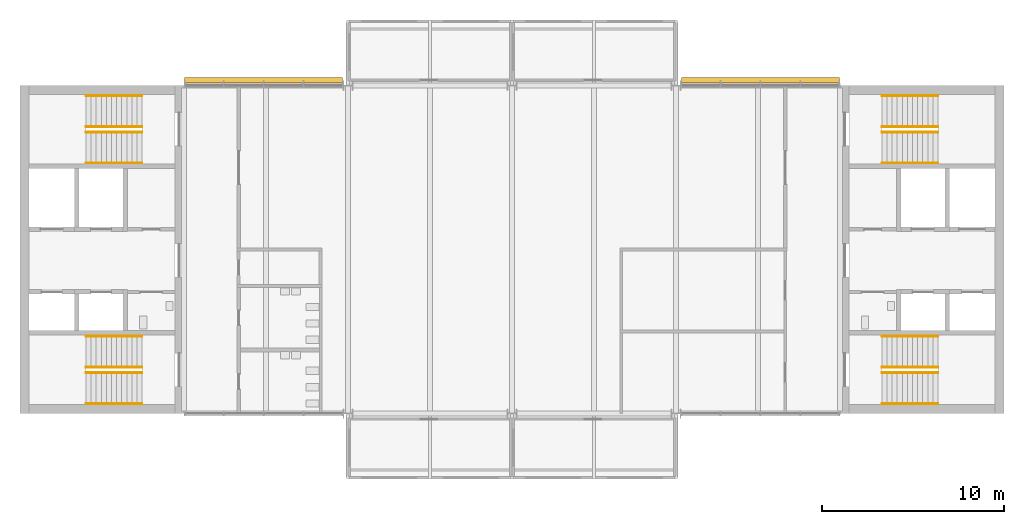
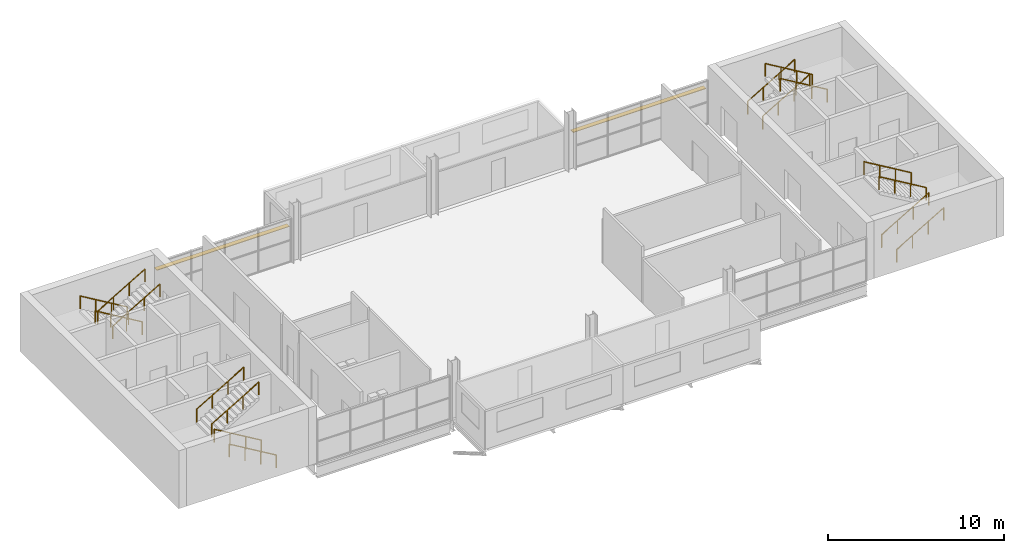
# One storey, part 9 of 10: 16 railings, 2 shading devices.
"""IFC4 building model written with IfcOpenShell, lengths in metres."""

from ifc_helpers import new_model, si_unit, direction, frame, origin, origin_2d, place, context, subcontext, project, spatial, rectangle, circle, extrude, material, layer, layer_set, type_object, element, save


model = new_model("IFC4")

# Units and contexts
model_context = context("Model", 3, precision=1e-05, world=origin(), true_north=direction((0.0, 1.0)))
body_context = subcontext(model_context, "Body", "Model", "MODEL_VIEW")
ifc_project = project(units=[si_unit("LENGTHUNIT", "METRE"), si_unit("AREAUNIT", "SQUARE_METRE"), si_unit("VOLUMEUNIT", "CUBIC_METRE"), si_unit("PLANEANGLEUNIT", "RADIAN"), si_unit("MASSUNIT", "GRAM", prefix="KILO")], contexts=[model_context])

# Site, building, storey
site_placement = place(None, origin())
site = spatial("IfcSite", under=ifc_project, at=site_placement, CompositionType="ELEMENT")
building_placement = place(site_placement, origin())
building = spatial("IfcBuilding", under=site, at=building_placement, Name="Corbel Yard City Hall", CompositionType="ELEMENT")
storey_placement = place(building_placement, frame((0.0, 0.0, 19.199951171875)))
storey = spatial("IfcBuildingStorey", under=building, at=storey_placement, Name="L04", CompositionType="ELEMENT", Elevation=19.199951171875)

# Railings
ifc_material_1 = material(Name="Stainless steel Grade 316", Category="steel")
railing_type = type_object("IfcRailingType", Name="HR1", PredefinedType="HANDRAIL", material=ifc_material_1)
for number, where, name in (
    (1, (6.699951171875, 99.550048828125, 0.166748046875), "Exit stair ST-W1 handrail"),
    (2, (6.699951171875, 101.25, 0.166748046875), "Exit stair ST-W1 handrail"),
):
    element("IfcRailing", number, at=place(storey_placement, frame(where)), inside=storey, type_object=railing_type, Name=name, PredefinedType="HANDRAIL", context=body_context, shape_type="SweptSolid", body=[
        extrude(circle(Radius=0.02392578125, at=origin_2d()), frame((0.0, 0.0, 0.8759765625), z_axis=(-0.859290745958, 0.0, 0.51148745235), x_axis=(0.0, -1.0, 0.0)), (0.0, 0.0, 1.0), 3.584228515625),
        extrude(circle(Radius=0.02099609375, at=origin_2d()), origin(), (0.0, 0.0, 1.0), 0.851806640625),
        extrude(circle(Radius=0.02099609375, at=origin_2d()), frame((-1.026611328125, 0.0, 0.611083984375)), (0.0, 0.0, 1.0), 0.851806640625),
        extrude(circle(Radius=0.02099609375, at=origin_2d()), frame((-2.05322265625, 0.0, 1.22216796875)), (0.0, 0.0, 1.0), 0.851806640625),
        extrude(circle(Radius=0.02099609375, at=origin_2d()), frame((-3.079833984375, 0.0, 1.833251953125)), (0.0, 0.0, 1.0), 0.851806640625),
    ])
for number, where, name in (
    (3, (3.6201171875, 101.550048828125, 2.166748046875), "Exit stair ST-W1 handrail"),
    (4, (3.6201171875, 103.25, 2.166748046875), "Exit stair ST-W1 handrail"),
):
    element("IfcRailing", number, at=place(storey_placement, frame(where)), inside=storey, type_object=railing_type, Name=name, PredefinedType="HANDRAIL", context=body_context, shape_type="SweptSolid", body=[
        extrude(circle(Radius=0.02392578125, at=origin_2d()), frame((0.0, 0.0, 0.8759765625), z_axis=(0.859290745958, 0.0, 0.51148745235), x_axis=(0.0, 1.0, 0.0)), (0.0, 0.0, 1.0), 3.584228515625),
        extrude(circle(Radius=0.02099609375, at=origin_2d()), origin(), (0.0, 0.0, 1.0), 0.851806640625),
        extrude(circle(Radius=0.02099609375, at=origin_2d()), frame((1.026611328125, 0.0, 0.611083984375)), (0.0, 0.0, 1.0), 0.851806640625),
        extrude(circle(Radius=0.02099609375, at=origin_2d()), frame((2.05322265625, 0.0, 1.22216796875)), (0.0, 0.0, 1.0), 0.851806640625),
        extrude(circle(Radius=0.02099609375, at=origin_2d()), frame((3.079833984375, 0.0, 1.833251953125)), (0.0, 0.0, 1.0), 0.851806640625),
    ])
for number, where, name in (
    (5, (6.699951171875, 116.449951171875, 0.166748046875), "Exit stair ST-W2 handrail"),
    (6, (6.699951171875, 114.75, 0.166748046875), "Exit stair ST-W2 handrail"),
):
    element("IfcRailing", number, at=place(storey_placement, frame(where)), inside=storey, type_object=railing_type, Name=name, PredefinedType="HANDRAIL", context=body_context, shape_type="SweptSolid", body=[
        extrude(circle(Radius=0.02392578125, at=origin_2d()), frame((0.0, 0.0, 0.8759765625), z_axis=(-0.859290745958, 0.0, 0.51148745235), x_axis=(0.0, -1.0, 0.0)), (0.0, 0.0, 1.0), 3.584228515625),
        extrude(circle(Radius=0.02099609375, at=origin_2d()), origin(), (0.0, 0.0, 1.0), 0.851806640625),
        extrude(circle(Radius=0.02099609375, at=origin_2d()), frame((-1.026611328125, 0.0, 0.611083984375)), (0.0, 0.0, 1.0), 0.851806640625),
        extrude(circle(Radius=0.02099609375, at=origin_2d()), frame((-2.05322265625, 0.0, 1.22216796875)), (0.0, 0.0, 1.0), 0.851806640625),
        extrude(circle(Radius=0.02099609375, at=origin_2d()), frame((-3.079833984375, 0.0, 1.833251953125)), (0.0, 0.0, 1.0), 0.851806640625),
    ])
for number, where, name in (
    (7, (3.6201171875, 114.449951171875, 2.166748046875), "Exit stair ST-W2 handrail"),
    (8, (3.6201171875, 112.75, 2.166748046875), "Exit stair ST-W2 handrail"),
    (9, (47.300048828125, 99.550048828125, 0.166748046875), "Exit stair ST-E1 handrail"),
    (10, (47.300048828125, 101.25, 0.166748046875), "Exit stair ST-E1 handrail"),
):
    element("IfcRailing", number, at=place(storey_placement, frame(where)), inside=storey, type_object=railing_type, Name=name, PredefinedType="HANDRAIL", context=body_context, shape_type="SweptSolid", body=[
        extrude(circle(Radius=0.02392578125, at=origin_2d()), frame((0.0, 0.0, 0.8759765625), z_axis=(0.859290745958, 0.0, 0.51148745235), x_axis=(0.0, 1.0, 0.0)), (0.0, 0.0, 1.0), 3.584228515625),
        extrude(circle(Radius=0.02099609375, at=origin_2d()), origin(), (0.0, 0.0, 1.0), 0.851806640625),
        extrude(circle(Radius=0.02099609375, at=origin_2d()), frame((1.026611328125, 0.0, 0.611083984375)), (0.0, 0.0, 1.0), 0.851806640625),
        extrude(circle(Radius=0.02099609375, at=origin_2d()), frame((2.05322265625, 0.0, 1.22216796875)), (0.0, 0.0, 1.0), 0.851806640625),
        extrude(circle(Radius=0.02099609375, at=origin_2d()), frame((3.079833984375, 0.0, 1.833251953125)), (0.0, 0.0, 1.0), 0.851806640625),
    ])
for number, where, name in (
    (11, (50.3798828125, 101.550048828125, 2.166748046875), "Exit stair ST-E1 handrail"),
    (12, (50.3798828125, 103.25, 2.166748046875), "Exit stair ST-E1 handrail"),
):
    element("IfcRailing", number, at=place(storey_placement, frame(where)), inside=storey, type_object=railing_type, Name=name, PredefinedType="HANDRAIL", context=body_context, shape_type="SweptSolid", body=[
        extrude(circle(Radius=0.02392578125, at=origin_2d()), frame((0.0, 0.0, 0.8759765625), z_axis=(-0.859290745958, 0.0, 0.51148745235), x_axis=(0.0, -1.0, 0.0)), (0.0, 0.0, 1.0), 3.584228515625),
        extrude(circle(Radius=0.02099609375, at=origin_2d()), origin(), (0.0, 0.0, 1.0), 0.851806640625),
        extrude(circle(Radius=0.02099609375, at=origin_2d()), frame((-1.026611328125, 0.0, 0.611083984375)), (0.0, 0.0, 1.0), 0.851806640625),
        extrude(circle(Radius=0.02099609375, at=origin_2d()), frame((-2.05322265625, 0.0, 1.22216796875)), (0.0, 0.0, 1.0), 0.851806640625),
        extrude(circle(Radius=0.02099609375, at=origin_2d()), frame((-3.079833984375, 0.0, 1.833251953125)), (0.0, 0.0, 1.0), 0.851806640625),
    ])
for number, where, name in (
    (13, (47.300048828125, 116.449951171875, 0.166748046875), "Exit stair ST-E2 handrail"),
    (14, (47.300048828125, 114.75, 0.166748046875), "Exit stair ST-E2 handrail"),
):
    element("IfcRailing", number, at=place(storey_placement, frame(where)), inside=storey, type_object=railing_type, Name=name, PredefinedType="HANDRAIL", context=body_context, shape_type="SweptSolid", body=[
        extrude(circle(Radius=0.02392578125, at=origin_2d()), frame((0.0, 0.0, 0.8759765625), z_axis=(0.859290745958, 0.0, 0.51148745235), x_axis=(0.0, 1.0, 0.0)), (0.0, 0.0, 1.0), 3.584228515625),
        extrude(circle(Radius=0.02099609375, at=origin_2d()), origin(), (0.0, 0.0, 1.0), 0.851806640625),
        extrude(circle(Radius=0.02099609375, at=origin_2d()), frame((1.026611328125, 0.0, 0.611083984375)), (0.0, 0.0, 1.0), 0.851806640625),
        extrude(circle(Radius=0.02099609375, at=origin_2d()), frame((2.05322265625, 0.0, 1.22216796875)), (0.0, 0.0, 1.0), 0.851806640625),
        extrude(circle(Radius=0.02099609375, at=origin_2d()), frame((3.079833984375, 0.0, 1.833251953125)), (0.0, 0.0, 1.0), 0.851806640625),
    ])
for number, where, name in (
    (15, (50.3798828125, 114.449951171875, 2.166748046875), "Exit stair ST-E2 handrail"),
    (16, (50.3798828125, 112.75, 2.166748046875), "Exit stair ST-E2 handrail"),
):
    element("IfcRailing", number, at=place(storey_placement, frame(where)), inside=storey, type_object=railing_type, Name=name, PredefinedType="HANDRAIL", context=body_context, shape_type="SweptSolid", body=[
        extrude(circle(Radius=0.02392578125, at=origin_2d()), frame((0.0, 0.0, 0.8759765625), z_axis=(-0.859290745958, 0.0, 0.51148745235), x_axis=(0.0, -1.0, 0.0)), (0.0, 0.0, 1.0), 3.584228515625),
        extrude(circle(Radius=0.02099609375, at=origin_2d()), origin(), (0.0, 0.0, 1.0), 0.851806640625),
        extrude(circle(Radius=0.02099609375, at=origin_2d()), frame((-1.026611328125, 0.0, 0.611083984375)), (0.0, 0.0, 1.0), 0.851806640625),
        extrude(circle(Radius=0.02099609375, at=origin_2d()), frame((-2.05322265625, 0.0, 1.22216796875)), (0.0, 0.0, 1.0), 0.851806640625),
        extrude(circle(Radius=0.02099609375, at=origin_2d()), frame((-3.079833984375, 0.0, 1.833251953125)), (0.0, 0.0, 1.0), 0.851806640625),
    ])

# Shading devices
ifc_material_2 = material(Name="Anodised aluminium", Category="aluminium")
ifc_layer = layer(ifc_material_2, 0.0400390625)
ifc_layer_set = layer_set([ifc_layer], Name="Anodised aluminium")
shading_device_type = type_object("IfcShadingDeviceType", Name="LV1", PredefinedType="JALOUSIE", material=ifc_layer_set)
for number, where, z_axis, x_axis, name in (
    (17, (13.37158203125, 117.2900390625, 2.31005859375), (0.0, 0.0, 1.0), (1.0, 0.0, 0.0), "Louvre blade"),
    (18, (40.62841796875, 117.2900390625, 2.31005859375), (0.0, 0.0, 1.0), (1.0, 0.0, 0.0), "Louvre blade"),
):
    element("IfcShadingDevice", number, at=place(storey_placement, frame(where, z_axis=z_axis, x_axis=x_axis)), inside=storey, type_object=shading_device_type, Name=name, PredefinedType="JALOUSIE", context=body_context, shape_type="SweptSolid", body=[
        extrude(rectangle(XDim=8.677978515625, YDim=0.300048828125, at=origin_2d()), origin(), (0.0, 0.0, 1.0), 0.0400390625),
    ])

save(model, "model.ifc")
